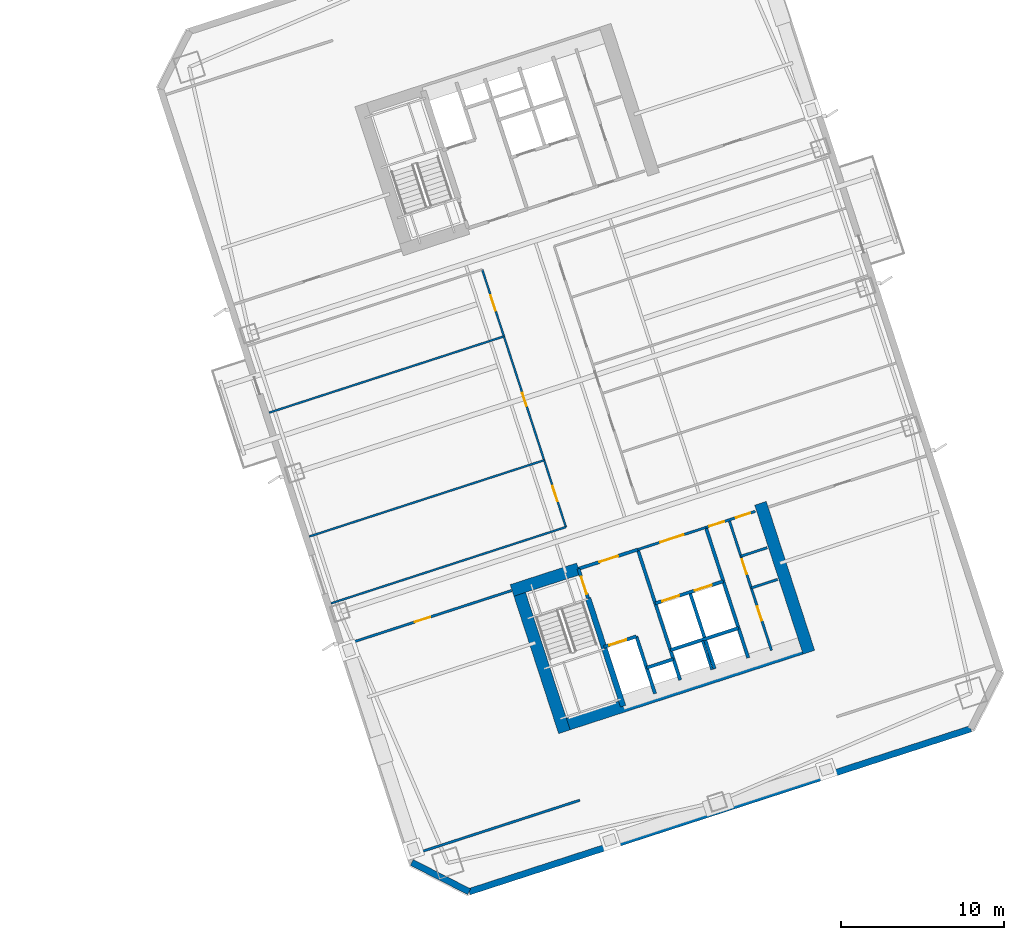
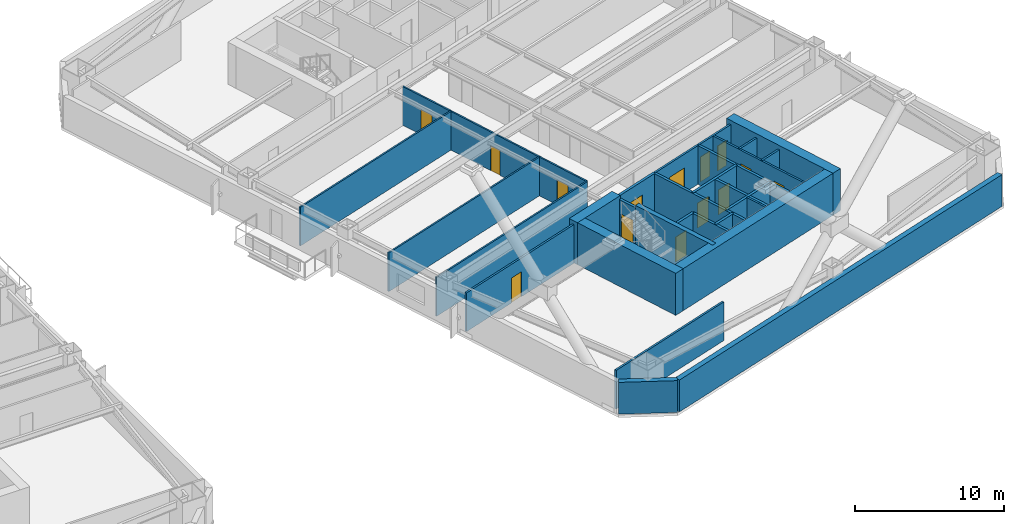
# One storey, part 7 of 18: 29 walls, 14 doors, 14 openings.
"""IFC4 building model written with IfcOpenShell, lengths in metres."""

from ifc_helpers import new_model, si_unit, direction, frame, frame_2d, origin, place, context, subcontext, project, spatial, rectangle, extrude, material, layer, layer_set, type_object, element, fill, save


model = new_model("IFC4")

# Units and contexts
model_context = context("Model", 3, precision=1e-05, world=origin(), true_north=direction((0.0, 1.0)))
body_context = subcontext(model_context, "Body", "Model", "MODEL_VIEW")
ifc_project = project(units=[si_unit("LENGTHUNIT", "METRE"), si_unit("AREAUNIT", "SQUARE_METRE"), si_unit("VOLUMEUNIT", "CUBIC_METRE"), si_unit("PLANEANGLEUNIT", "RADIAN"), si_unit("MASSUNIT", "GRAM", prefix="KILO")], contexts=[model_context])

# Site, building, storey
site_placement = place(None, origin())
site = spatial("IfcSite", under=ifc_project, at=site_placement, CompositionType="ELEMENT")
building_placement = place(site_placement, origin())
building = spatial("IfcBuilding", under=site, at=building_placement, Name="Qiaolan Cultural Towers", CompositionType="ELEMENT")
storey_placement = place(building_placement, frame((0.0, 0.0, 57.5)))
storey = spatial("IfcBuildingStorey", under=building, at=storey_placement, Name="L13", CompositionType="ELEMENT", Elevation=57.5)

# Walls
ifc_material_1 = material(Name="Concrete C50", Category="concrete")
ifc_layer_1 = layer(ifc_material_1, 0.35009765625)
ifc_layer_set_1 = layer_set([ifc_layer_1], Name="Concrete C50")
wall_type_1 = type_object("IfcWallType", Name="WL-CORE-350", PredefinedType="SHEAR", material=ifc_layer_set_1)
wall_1_placement = place(storey_placement, frame((90.486328125, 20.59423828125, 0.0), z_axis=(0.0, 0.0, 1.0), x_axis=(0.309020428229, -0.951055400562, 0.0)))
element("IfcWall", 1, at=wall_1_placement, inside=storey, type_object=wall_type_1, Name="L13 T2-CS Stair Core Dividing Web", PredefinedType="SHEAR", context=body_context, shape_type="SweptSolid", body=[
    extrude(rectangle(XDim=6.97998046875, YDim=0.35009765625, at=frame_2d((3.489990234375, 0.0))), origin(), (0.0, 0.0, 1.0), 3.449951171875),
])
ifc_material_2 = material(Name="Concrete C60", Category="concrete")
ifc_layer_2 = layer(ifc_material_2, 0.75)
ifc_layer_set_2 = layer_set([ifc_layer_2], Name="Concrete C60")
wall_type_2 = type_object("IfcWallType", Name="WL-CORE-750", PredefinedType="SHEAR", material=ifc_layer_set_2)
wall_2_placement = place(storey_placement, frame((88.55859375, 12.628662109375, 0.0), z_axis=(0.0, 0.0, 1.0), x_axis=(0.951056072937, 0.309018358888, 0.0)))
element("IfcWall", 2, at=wall_2_placement, inside=storey, type_object=wall_type_2, Name="L13 T2-CS Outer Core Shear Wall", PredefinedType="SHEAR", context=body_context, shape_type="SweptSolid", body=[
    extrude(rectangle(XDim=16.550048828125, YDim=0.75, at=frame_2d((8.27490234375, 0.0))), origin(), (0.0, 0.0, 1.0), 3.449951171875),
])
wall_3_placement = place(storey_placement, frame((86.05517578125, 21.54638671875, 0.0), z_axis=(0.0, 0.0, 1.0), x_axis=(0.309023585745, -0.951054374604, 0.0)))
element("IfcWall", 3, at=wall_3_placement, inside=storey, type_object=wall_type_2, Name="L13 T2-CS West Core Shear Wall", PredefinedType="SHEAR", context=body_context, shape_type="SweptSolid", body=[
    extrude(rectangle(XDim=9.6298828125, YDim=0.75, at=frame_2d((4.81494140625, 0.0))), origin(), (0.0, 0.0, 1.0), 3.449951171875),
])
wall_4_placement = place(storey_placement, frame((101.08203125, 26.428955078125, 0.0), z_axis=(0.0, 0.0, 1.0), x_axis=(0.309016134813, -0.951056795583, 0.0)))
element("IfcWall", 4, at=wall_4_placement, inside=storey, type_object=wall_type_2, Name="L13 T2-CS East Core Shear Wall", PredefinedType="SHEAR", context=body_context, shape_type="SweptSolid", body=[
    extrude(rectangle(XDim=9.630126953125, YDim=0.75, at=frame_2d((4.81494140625, 0.0))), origin(), (0.0, 0.0, 1.0), 3.449951171875),
])
wall_5_placement = place(storey_placement, frame((85.814453125, 21.073974609375, 0.0), z_axis=(0.0, 0.0, 1.0), x_axis=(0.95106580992, 0.308988390074, 0.0)))
element("IfcWall", 5, at=wall_5_placement, inside=storey, type_object=wall_type_2, Name="L13 T2-CS Stair Front Shear Wall", PredefinedType="SHEAR", context=body_context, shape_type="SweptSolid", body=[
    extrude(rectangle(XDim=4.295166015625, YDim=0.75, at=frame_2d((2.1474609375, 0.0))), origin(), (0.0, 0.0, 1.0), 3.449951171875),
])
ifc_material_3 = material(Name="Precast Concrete C50 Honed Stone Pier", Category="masonry")
ifc_layer_3 = layer(ifc_material_3, 0.39990234375)
ifc_layer_set_3 = layer_set([ifc_layer_3], Name="Precast Concrete C50 Honed Stone Pier")
wall_type_3 = type_object("IfcWallType", Name="WL-EXT-PIER-400", PredefinedType="SOLIDWALL", material=ifc_layer_set_3)
wall_6_placement = place(storey_placement, frame((113.997802734375, 12.566650390625, 0.0), z_axis=(0.0, 0.0, 1.0), x_axis=(-0.951055939317, -0.309018770125, 0.0)))
element("IfcWall", 6, at=wall_6_placement, inside=storey, type_object=wall_type_3, Name="L13 East Tower Precast Pier Facade Wall F7", PredefinedType="SOLIDWALL", context=body_context, shape_type="SweptSolid", body=[
    extrude(rectangle(XDim=32.39990234375, YDim=0.39990234375, at=frame_2d((16.199951171875, 0.0))), origin(), (0.0, 0.0, 1.0), 2.610107421875),
])
wall_7_placement = place(storey_placement, frame((83.18359375, 2.554443359375, 0.0), z_axis=(0.0, 0.0, 1.0), x_axis=(-0.890998089617, 0.454007053137, 0.0)))
element("IfcWall", 7, at=wall_7_placement, inside=storey, type_object=wall_type_3, Name="L13 East Tower Precast Pier Facade Wall F8", PredefinedType="SOLIDWALL", context=body_context, shape_type="SweptSolid", body=[
    extrude(rectangle(XDim=3.9599609375, YDim=0.39990234375, at=frame_2d((1.97998046875, 0.0))), origin(), (0.0, 0.0, 1.0), 2.610107421875),
])

# Wall, opening, door
ifc_material_4 = material(Name="Concrete C35 Fire Wall", Category="concrete")
ifc_layer_4 = layer(ifc_material_4, 0.199951171875)
ifc_layer_set_4 = layer_set([ifc_layer_4], Name="Concrete C35 Fire Wall")
wall_type_4 = type_object("IfcWallType", Name="WL-FIRE-200", PredefinedType="PARTITIONING", material=ifc_layer_set_4)
wall_8_placement = place(storey_placement, frame((89.8994140625, 22.401123046875, 0.0), z_axis=(0.0, 0.0, 1.0), x_axis=(0.308932062672, -0.951084108086, 0.0)))
wall_8 = element("IfcWall", 8, at=wall_8_placement, inside=storey, type_object=wall_type_4, Name="L13 T2-CS Smokeproof Stair Entry Wall", PredefinedType="PARTITIONING", context=body_context, shape_type="SweptSolid", body=[
    extrude(rectangle(XDim=1.89990234375, YDim=0.199951171875, at=frame_2d((0.949951171875, 0.0))), origin(), (0.0, 0.0, 1.0), 3.175048828125),
])
opening_1_placement = place(wall_8_placement, frame((0.52001953125, 0.0, 0.0)))
opening_1 = element("IfcOpeningElement", 9, at=opening_1_placement, cuts=wall_8, Name="Opening FD-04", PredefinedType="OPENING", context=body_context, shape_type="SweptSolid", body=[
    extrude(rectangle(XDim=1.10009765625, YDim=2.050048828125, at=frame_2d((0.550048828125, 1.02490234375))), frame((0.0, 0.10986328125, 0.0), z_axis=(0.0, -1.0, 0.0), x_axis=(1.0, 0.0, 0.0)), (0.0, 0.0, 1.0), 0.219970703125),
])
ifc_material_5 = material(Name="Galvanized Steel Command Fire Door", Category="steel")
door_type_1 = type_object("IfcDoorType", Name="DR-FD90-1100", OperationType="NOTDEFINED", PredefinedType="DOOR", material=ifc_material_5)
door_1_placement = place(opening_1_placement, origin())
door_1 = element("IfcDoor", 10, at=door_1_placement, inside=storey, type_object=door_type_1, Name="L13 ST-E1 Smokeproof Stair Fire Door", OperationType="SINGLE_SWING_LEFT", OverallHeight=2.050048828125, OverallWidth=1.10009765625, PredefinedType="DOOR", context=body_context, shape_type="SweptSolid", body=[
    extrude(rectangle(XDim=1.10009765625, YDim=2.050048828125, at=frame_2d((0.550048828125, 1.02490234375))), frame((0.0, 0.02490234375, 0.0), z_axis=(0.0, -1.0, 0.0), x_axis=(1.0, 0.0, 0.0)), (0.0, 0.0, 1.0), 0.050048828125),
])
fill(opening_1, door_1)

# Wall
wall_9_placement = place(storey_placement, frame((93.541748046875, 23.584716796875, 0.0), z_axis=(0.0, 0.0, 1.0), x_axis=(0.309042196757, -0.951048327176, 0.0)))
element("IfcWall", 11, at=wall_9_placement, inside=storey, type_object=wall_type_4, Name="L13 T2-CS Firefighting Zone Wall", PredefinedType="PARTITIONING", context=body_context, shape_type="SweptSolid", body=[
    extrude(rectangle(XDim=8.429931640625, YDim=0.199951171875, at=frame_2d((4.21484375, 0.0))), origin(), (0.0, 0.0, 1.0), 3.175048828125),
])

# Wall, opening, door
wall_10_placement = place(storey_placement, frame((89.8994140625, 22.401123046875, 0.0), z_axis=(0.0, 0.0, 1.0), x_axis=(0.951046716504, 0.309047153403, 0.0)))
wall_10 = element("IfcWall", 12, at=wall_10_placement, inside=storey, type_object=wall_type_4, Name="L13 T2-CS Firefighting Lobby Front Wall", PredefinedType="PARTITIONING", context=body_context, shape_type="SweptSolid", body=[
    extrude(rectangle(XDim=3.829833984375, YDim=0.199951171875, at=frame_2d((1.9150390625, 0.0))), origin(), (0.0, 0.0, 1.0), 3.175048828125),
])
opening_2_placement = place(wall_10_placement, frame((1.35009765625, 0.0, 0.0)))
opening_2 = element("IfcOpeningElement", 13, at=opening_2_placement, cuts=wall_10, Name="Opening FD-03", PredefinedType="OPENING", context=body_context, shape_type="SweptSolid", body=[
    extrude(rectangle(XDim=1.199951171875, YDim=2.050048828125, at=frame_2d((0.60009765625, 1.02490234375))), frame((0.0, 0.10986328125, 0.0), z_axis=(0.0, -1.0, 0.0), x_axis=(1.0, 0.0, 0.0)), (0.0, 0.0, 1.0), 0.219970703125),
])
ifc_material_6 = material(Name="Galvanized Steel Smokeproof Lobby Fire Door", Category="steel")
door_type_2 = type_object("IfcDoorType", Name="DR-FD90-1200", OperationType="NOTDEFINED", PredefinedType="DOOR", material=ifc_material_6)
door_2_placement = place(opening_2_placement, origin())
door_2 = element("IfcDoor", 14, at=door_2_placement, inside=storey, type_object=door_type_2, Name="L13 FFL-E1 Firefighting Lobby Fire Door", OperationType="SINGLE_SWING_LEFT", OverallHeight=2.050048828125, OverallWidth=1.199951171875, PredefinedType="DOOR", context=body_context, shape_type="SweptSolid", body=[
    extrude(rectangle(XDim=1.199951171875, YDim=2.050048828125, at=frame_2d((0.60009765625, 1.02490234375))), frame((0.0, 0.02490234375, 0.0), z_axis=(0.0, -1.0, 0.0), x_axis=(1.0, 0.0, 0.0)), (0.0, 0.0, 1.0), 0.050048828125),
])
fill(opening_2, door_2)

wall_11_placement = place(storey_placement, frame((91.459716796875, 17.598388671875, 0.0), z_axis=(0.0, 0.0, 1.0), x_axis=(0.951062257173, 0.308999325213, 0.0)))
wall_11 = element("IfcWall", 15, at=wall_11_placement, inside=storey, type_object=wall_type_4, Name="L13 T2-CS Firefighting Shaft Front Wall", PredefinedType="PARTITIONING", context=body_context, shape_type="SweptSolid", body=[
    extrude(rectangle(XDim=2.10009765625, YDim=0.199951171875, at=frame_2d((1.050048828125, 0.0))), origin(), (0.0, 0.0, 1.0), 3.175048828125),
])
opening_3_placement = place(wall_11_placement, frame((0.35009765625, 0.0, 0.0)))
opening_3 = element("IfcOpeningElement", 16, at=opening_3_placement, cuts=wall_11, Name="Opening LD-01", PredefinedType="OPENING", context=body_context, shape_type="SweptSolid", body=[
    extrude(rectangle(XDim=1.10009765625, YDim=2.050048828125, at=frame_2d((0.550048828125, 1.02490234375))), frame((0.0, 0.10986328125, 0.0), z_axis=(0.0, -1.0, 0.0), x_axis=(1.0, 0.0, 0.0)), (0.0, 0.0, 1.0), 0.219970703125),
])
ifc_material_7 = material(Name="Brushed Stainless Steel S30408 Centre-Parting Lift Landing Door", Category="steel")
door_type_3 = type_object("IfcDoorType", Name="DR-LIFT-1100", OperationType="NOTDEFINED", PredefinedType="DOOR", material=ifc_material_7)
door_3_placement = place(opening_3_placement, origin())
door_3 = element("IfcDoor", 17, at=door_3_placement, inside=storey, type_object=door_type_3, Name="L13 FFL-E1 Firefighting Lift Landing Door", OperationType="DOUBLE_DOOR_SLIDING", OverallHeight=2.050048828125, OverallWidth=1.10009765625, PredefinedType="DOOR", context=body_context, shape_type="SweptSolid", body=[
    extrude(rectangle(XDim=1.10009765625, YDim=2.050048828125, at=frame_2d((0.550048828125, 1.02490234375))), frame((0.0, 0.02490234375, 0.0), z_axis=(0.0, -1.0, 0.0), x_axis=(1.0, 0.0, 0.0)), (0.0, 0.0, 1.0), 0.050048828125),
])
fill(opening_3, door_3)

# Walls
wall_12_placement = place(storey_placement, frame((93.45703125, 18.247314453125, 0.0), z_axis=(0.0, 0.0, 1.0), x_axis=(0.3089935693, -0.951064127245, 0.0)))
element("IfcWall", 18, at=wall_12_placement, inside=storey, type_object=wall_type_4, Name="L13 T2-CS Firefighting Hoistway East Wall", PredefinedType="PARTITIONING", context=body_context, shape_type="SweptSolid", body=[
    extrude(rectangle(XDim=3.7001953125, YDim=0.199951171875, at=frame_2d((1.85009765625, 0.0))), origin(), (0.0, 0.0, 1.0), 3.175048828125),
])
wall_13_placement = place(storey_placement, frame((94.08447265625, 16.316650390625, 0.0), z_axis=(0.0, 0.0, 1.0), x_axis=(0.951041328149, 0.309063734775, 0.0)))
element("IfcWall", 19, at=wall_13_placement, inside=storey, type_object=wall_type_4, Name="L13 T2-CS Pressurization Shaft Front Wall", PredefinedType="PARTITIONING", context=body_context, shape_type="SweptSolid", body=[
    extrude(rectangle(XDim=1.72998046875, YDim=0.199951171875, at=frame_2d((0.864990234375, 0.0))), origin(), (0.0, 0.0, 1.0), 3.175048828125),
])
wall_14_placement = place(storey_placement, frame((97.7265625, 24.9443359375, 0.0), z_axis=(0.0, 0.0, 1.0), x_axis=(0.309016001439, -0.951056838919, 0.0)))
element("IfcWall", 20, at=wall_14_placement, inside=storey, type_object=wall_type_4, Name="L13 T2-CS Lift Core East Wall", PredefinedType="PARTITIONING", context=body_context, shape_type="SweptSolid", body=[
    extrude(rectangle(XDim=8.429931640625, YDim=0.199951171875, at=frame_2d((4.21484375, 0.0))), origin(), (0.0, 0.0, 1.0), 3.175048828125),
])

# Wall, openings, doors
wall_15_placement = place(storey_placement, frame((94.6171875, 20.275146484375, 0.0), z_axis=(0.0, 0.0, 1.0), x_axis=(0.951058531764, 0.30901079133, 0.0)))
wall_15 = element("IfcWall", 21, at=wall_15_placement, inside=storey, type_object=wall_type_4, Name="L13 T2-CS Passenger Lift Shaft Front Wall", PredefinedType="PARTITIONING", context=body_context, shape_type="SweptSolid", body=[
    extrude(rectangle(XDim=4.39990234375, YDim=0.199951171875, at=frame_2d((2.199951171875, 0.0))), origin(), (0.0, 0.0, 1.0), 3.175048828125),
])
opening_4_placement = place(wall_15_placement, frame((0.449951171875, 0.0, 0.0)))
opening_4 = element("IfcOpeningElement", 22, at=opening_4_placement, cuts=wall_15, Name="Opening LD-01", PredefinedType="OPENING", context=body_context, shape_type="SweptSolid", body=[
    extrude(rectangle(XDim=1.10009765625, YDim=2.050048828125, at=frame_2d((0.550048828125, 1.02490234375))), frame((0.0, 0.10986328125, 0.0), z_axis=(0.0, -1.0, 0.0), x_axis=(1.0, 0.0, 0.0)), (0.0, 0.0, 1.0), 0.219970703125),
])
opening_5_placement = place(wall_15_placement, frame((2.550048828125, 0.0, 0.0)))
opening_5 = element("IfcOpeningElement", 23, at=opening_5_placement, cuts=wall_15, Name="Opening LD-01", PredefinedType="OPENING", context=body_context, shape_type="SweptSolid", body=[
    extrude(rectangle(XDim=1.10009765625, YDim=2.050048828125, at=frame_2d((0.550048828125, 1.02490234375))), frame((0.0, 0.10986328125, 0.0), z_axis=(0.0, -1.0, 0.0), x_axis=(1.0, 0.0, 0.0)), (0.0, 0.0, 1.0), 0.219970703125),
])
door_4_placement = place(opening_4_placement, origin())
door_4 = element("IfcDoor", 24, at=door_4_placement, inside=storey, type_object=door_type_3, Name="L13 Passenger Lift 1 Landing Door", OperationType="DOUBLE_DOOR_SLIDING", OverallHeight=2.050048828125, OverallWidth=1.10009765625, PredefinedType="DOOR", context=body_context, shape_type="SweptSolid", body=[
    extrude(rectangle(XDim=1.10009765625, YDim=2.050048828125, at=frame_2d((0.550048828125, 1.02490234375))), frame((0.0, 0.02490234375, 0.0), z_axis=(0.0, -1.0, 0.0), x_axis=(1.0, 0.0, 0.0)), (0.0, 0.0, 1.0), 0.050048828125),
])
fill(opening_4, door_4)
door_5_placement = place(opening_5_placement, origin())
door_5 = element("IfcDoor", 25, at=door_5_placement, inside=storey, type_object=door_type_3, Name="L13 Passenger Lift 2 Landing Door", OperationType="DOUBLE_DOOR_SLIDING", OverallHeight=2.050048828125, OverallWidth=1.10009765625, PredefinedType="DOOR", context=body_context, shape_type="SweptSolid", body=[
    extrude(rectangle(XDim=1.10009765625, YDim=2.050048828125, at=frame_2d((0.550048828125, 1.02490234375))), frame((0.0, 0.02490234375, 0.0), z_axis=(0.0, -1.0, 0.0), x_axis=(1.0, 0.0, 0.0)), (0.0, 0.0, 1.0), 0.050048828125),
])
fill(opening_5, door_5)

# Walls
wall_16_placement = place(storey_placement, frame((96.738037109375, 20.964111328125, 0.0), z_axis=(0.0, 0.0, 1.0), x_axis=(0.309042578481, -0.951048203135, 0.0)))
element("IfcWall", 26, at=wall_16_placement, inside=storey, type_object=wall_type_4, Name="L13 T2-CS Lift Shaft Divider Wall", PredefinedType="PARTITIONING", context=body_context, shape_type="SweptSolid", body=[
    extrude(rectangle(XDim=4.9501953125, YDim=0.199951171875, at=frame_2d((2.47509765625, 0.0))), origin(), (0.0, 0.0, 1.0), 3.175048828125),
])
wall_17_placement = place(storey_placement, frame((95.550537109375, 17.40283203125, 0.0), z_axis=(0.0, 0.0, 1.0), x_axis=(0.951058531764, 0.30901079133, 0.0)))
element("IfcWall", 27, at=wall_17_placement, inside=storey, type_object=wall_type_4, Name="L13 T2-CS Passenger Lift Shaft Back Wall", PredefinedType="PARTITIONING", context=body_context, shape_type="SweptSolid", body=[
    extrude(rectangle(XDim=4.39990234375, YDim=0.199951171875, at=frame_2d((2.199951171875, 0.0))), origin(), (0.0, 0.0, 1.0), 3.175048828125),
])
ifc_material_8 = material(Name="Gypsum Stud Acoustic Partition", Category="gypsum")
ifc_layer_5 = layer(ifc_material_8, 0.1201171875)
ifc_layer_set_5 = layer_set([ifc_layer_5], Name="Gypsum Stud Acoustic Partition")
wall_type_5 = type_object("IfcWallType", Name="WL-PART-120", PredefinedType="PARTITIONING", material=ifc_layer_set_5)
wall_18_placement = place(storey_placement, frame((74.691162109375, 20.277587890625, 0.0), z_axis=(0.0, 0.0, 1.0), x_axis=(0.951054756643, 0.309022409974, 0.0)))
element("IfcWall", 28, at=wall_18_placement, inside=storey, type_object=wall_type_5, Name="L13 T2 South Corridor Left Wall", PredefinedType="PARTITIONING", context=body_context, shape_type="SweptSolid", body=[
    extrude(rectangle(XDim=15.175048828125, YDim=0.1201171875, at=frame_2d((7.58740234375, 0.0))), origin(), (0.0, 0.0, 1.0), 3.175048828125),
])

# Wall, openings, doors
wall_19_placement = place(storey_placement, frame((89.12353515625, 24.967041015625, 0.0), z_axis=(0.0, 0.0, 1.0), x_axis=(-0.30901773025, 0.951056277195, 0.0)))
wall_19 = element("IfcWall", 29, at=wall_19_placement, inside=storey, type_object=wall_type_5, Name="L13 T2 West Spine Wall", PredefinedType="PARTITIONING", context=body_context, shape_type="SweptSolid", body=[
    extrude(rectangle(XDim=16.64013671875, YDim=0.1201171875, at=frame_2d((8.320068359375, 0.0))), origin(), (0.0, 0.0, 1.0), 3.175048828125),
])
opening_6_placement = place(wall_19_placement, frame((1.659912109375, 0.0, 0.0)))
opening_6 = element("IfcOpeningElement", 30, at=opening_6_placement, cuts=wall_19, Name="Opening ID-04", PredefinedType="OPENING", context=body_context, shape_type="SweptSolid", body=[
    extrude(rectangle(XDim=1.0, YDim=2.050048828125, at=frame_2d((0.5, 1.02490234375))), frame((0.0, 0.070068359375, 0.0), z_axis=(0.0, -1.0, 0.0), x_axis=(1.0, 0.0, 0.0)), (0.0, 0.0, 1.0), 0.14013671875),
])
opening_7_placement = place(wall_19_placement, frame((7.820068359375, 0.0, 0.0)))
opening_7 = element("IfcOpeningElement", 31, at=opening_7_placement, cuts=wall_19, Name="Opening ID-09", PredefinedType="OPENING", context=body_context, shape_type="SweptSolid", body=[
    extrude(rectangle(XDim=0.85009765625, YDim=2.050048828125, at=frame_2d((0.425048828125, 1.02490234375))), frame((0.0, 0.070068359375, 0.0), z_axis=(0.0, -1.0, 0.0), x_axis=(1.0, 0.0, 0.0)), (0.0, 0.0, 1.0), 0.14013671875),
])
opening_8_placement = place(wall_19_placement, frame((13.97998046875, 0.0, 0.0)))
opening_8 = element("IfcOpeningElement", 32, at=opening_8_placement, cuts=wall_19, Name="Opening ID-04", PredefinedType="OPENING", context=body_context, shape_type="SweptSolid", body=[
    extrude(rectangle(XDim=1.0, YDim=2.050048828125, at=frame_2d((0.5, 1.02490234375))), frame((0.0, 0.070068359375, 0.0), z_axis=(0.0, -1.0, 0.0), x_axis=(1.0, 0.0, 0.0)), (0.0, 0.0, 1.0), 0.14013671875),
])
ifc_material_9 = material(Name="Oak Veneer Acoustic Office Door", Category="timber")
door_type_4 = type_object("IfcDoorType", Name="DR-INT-1000", OperationType="NOTDEFINED", PredefinedType="DOOR", material=ifc_material_9)
door_6_placement = place(opening_6_placement, origin())
door_6 = element("IfcDoor", 33, at=door_6_placement, inside=storey, type_object=door_type_4, Name="L13 T2 Contemporary Art Salon Door", OperationType="SINGLE_SWING_LEFT", OverallHeight=2.050048828125, OverallWidth=1.0, PredefinedType="DOOR", context=body_context, shape_type="SweptSolid", body=[
    extrude(rectangle(XDim=1.0, YDim=2.050048828125, at=frame_2d((0.5, 1.02490234375))), frame((0.0, 0.02490234375, 0.0), z_axis=(0.0, -1.0, 0.0), x_axis=(1.0, 0.0, 0.0)), (0.0, 0.0, 1.0), 0.050048828125),
])
fill(opening_6, door_6)
door_7_placement = place(opening_8_placement, origin())
door_7 = element("IfcDoor", 34, at=door_7_placement, inside=storey, type_object=door_type_4, Name="L13 T2 Members Reading Club Door", OperationType="SINGLE_SWING_LEFT", OverallHeight=2.050048828125, OverallWidth=1.0, PredefinedType="DOOR", context=body_context, shape_type="SweptSolid", body=[
    extrude(rectangle(XDim=1.0, YDim=2.050048828125, at=frame_2d((0.5, 1.02490234375))), frame((0.0, 0.02490234375, 0.0), z_axis=(0.0, -1.0, 0.0), x_axis=(1.0, 0.0, 0.0)), (0.0, 0.0, 1.0), 0.050048828125),
])
fill(opening_8, door_7)
ifc_material_10 = material(Name="Moisture-Resistant Laminate Utility Door", Category="timber")
door_type_5 = type_object("IfcDoorType", Name="DR-INT-850", OperationType="NOTDEFINED", PredefinedType="DOOR", material=ifc_material_10)
door_8_placement = place(opening_7_placement, origin())
door_8 = element("IfcDoor", 35, at=door_8_placement, inside=storey, type_object=door_type_5, Name="L13 T2 Contemporary Art Salon Door", OperationType="SINGLE_SWING_RIGHT", OverallHeight=2.050048828125, OverallWidth=0.85009765625, PredefinedType="DOOR", context=body_context, shape_type="SweptSolid", body=[
    extrude(rectangle(XDim=0.85009765625, YDim=2.050048828125, at=frame_2d((0.425048828125, 1.02490234375))), frame((0.0, 0.02490234375, 0.0), z_axis=(0.0, -1.0, 0.0), x_axis=(1.0, 0.0, 0.0)), (0.0, 0.0, 1.0), 0.050048828125),
])
fill(opening_7, door_8)

# Walls
for number, where, z_axis, x_axis, name in (
    (36, (73.356201171875, 24.38623046875, 0.0), (0.0, 0.0, 1.0), (0.951054756643, 0.309022409974, 0.0), "L13 T2 West Partition 1"),
    (37, (70.884033203125, 31.99462890625, 0.0), (0.0, 0.0, 1.0), (0.951054756643, 0.309022409974, 0.0), "L13 T2 West Partition 2"),
):
    element("IfcWall", number, at=place(storey_placement, frame(where, z_axis=z_axis, x_axis=x_axis)), inside=storey, type_object=wall_type_5, Name=name, PredefinedType="PARTITIONING", context=body_context, shape_type="SweptSolid", body=[
        extrude(rectangle(XDim=15.175048828125, YDim=0.1201171875, at=frame_2d((7.58740234375, 0.0))), origin(), (0.0, 0.0, 1.0), 3.175048828125),
    ])

# Wall, opening, door
ifc_material_11 = material(Name="Autoclaved Aerated Concrete Block B06", Category="concrete")
ifc_layer_6 = layer(ifc_material_11, 0.14990234375)
ifc_layer_set_6 = layer_set([ifc_layer_6], Name="Autoclaved Aerated Concrete Block B06")
wall_type_6 = type_object("IfcWallType", Name="WL-PART-150", PredefinedType="PARTITIONING", material=ifc_layer_set_6)
wall_20_placement = place(storey_placement, frame((93.541748046875, 23.584716796875, 0.0), z_axis=(0.0, 0.0, 1.0), x_axis=(0.951063829732, 0.308994485023, 0.0)))
wall_20 = element("IfcWall", 38, at=wall_20_placement, inside=storey, type_object=wall_type_6, Name="L13 T2-CS Passenger Lift Lobby Front Wall", PredefinedType="PARTITIONING", context=body_context, shape_type="SweptSolid", body=[
    extrude(rectangle(XDim=4.400146484375, YDim=0.14990234375, at=frame_2d((2.2001953125, 0.0))), origin(), (0.0, 0.0, 1.0), 3.175048828125),
])
opening_9_placement = place(wall_20_placement, frame((1.449951171875, 0.0, 0.0)))
opening_9 = element("IfcOpeningElement", 39, at=opening_9_placement, cuts=wall_20, Name="Opening FD-05", PredefinedType="OPENING", context=body_context, shape_type="SweptSolid", body=[
    extrude(rectangle(XDim=1.5, YDim=2.050048828125, at=frame_2d((0.75, 1.02490234375))), frame((0.0, 0.0849609375, 0.0), z_axis=(0.0, -1.0, 0.0), x_axis=(1.0, 0.0, 0.0)), (0.0, 0.0, 1.0), 0.169921875),
])
ifc_material_12 = material(Name="Painted Steel Lift Lobby Fire Door", Category="steel")
door_type_6 = type_object("IfcDoorType", Name="DR-FD60-1500", OperationType="NOTDEFINED", PredefinedType="DOOR", material=ifc_material_12)
door_9_placement = place(opening_9_placement, origin())
door_9 = element("IfcDoor", 40, at=door_9_placement, inside=storey, type_object=door_type_6, Name="L13 Passenger Lift Lobby Entrance", OperationType="SINGLE_SWING_LEFT", OverallHeight=2.050048828125, OverallWidth=1.5, PredefinedType="DOOR", context=body_context, shape_type="SweptSolid", body=[
    extrude(rectangle(XDim=1.5, YDim=2.050048828125, at=frame_2d((0.75, 1.02490234375))), frame((0.0, 0.02490234375, 0.0), z_axis=(0.0, -1.0, 0.0), x_axis=(1.0, 0.0, 0.0)), (0.0, 0.0, 1.0), 0.050048828125),
])
fill(opening_9, door_9)

# Wall
wall_21_placement = place(storey_placement, frame((97.515625, 17.98876953125, 0.0), z_axis=(0.0, 0.0, 1.0), x_axis=(0.30897153969, -0.951071284217, 0.0)))
element("IfcWall", 41, at=wall_21_placement, inside=storey, type_object=wall_type_6, Name="L13 T2-CS Core Rear Split Wall", PredefinedType="PARTITIONING", context=body_context, shape_type="SweptSolid", body=[
    extrude(rectangle(XDim=1.8798828125, YDim=0.14990234375, at=frame_2d((0.93994140625, 0.0))), origin(), (0.0, 0.0, 1.0), 3.175048828125),
])

# Wall, openings, doors
wall_22_placement = place(storey_placement, frame((97.7265625, 24.9443359375, 0.0), z_axis=(0.0, 0.0, 1.0), x_axis=(0.951036872128, 0.309077446369, 0.0)))
wall_22 = element("IfcWall", 42, at=wall_22_placement, inside=storey, type_object=wall_type_6, Name="L13 T2-CS Sanitary Core Front Wall", PredefinedType="PARTITIONING", context=body_context, shape_type="SweptSolid", body=[
    extrude(rectangle(XDim=3.199951171875, YDim=0.14990234375, at=frame_2d((1.60009765625, 0.0))), origin(), (0.0, 0.0, 1.0), 3.175048828125),
])
opening_10_placement = place(wall_22_placement, frame((0.219970703125, 0.0, 0.0)))
opening_10 = element("IfcOpeningElement", 43, at=opening_10_placement, cuts=wall_22, Name="Opening ID-05", PredefinedType="OPENING", context=body_context, shape_type="SweptSolid", body=[
    extrude(rectangle(XDim=0.949951171875, YDim=2.050048828125, at=frame_2d((0.47509765625, 1.02490234375))), frame((0.0, 0.0849609375, 0.0), z_axis=(0.0, -1.0, 0.0), x_axis=(1.0, 0.0, 0.0)), (0.0, 0.0, 1.0), 0.169921875),
])
opening_11_placement = place(wall_22_placement, frame((1.949951171875, 0.0, 0.0)))
opening_11 = element("IfcOpeningElement", 44, at=opening_11_placement, cuts=wall_22, Name="Opening ID-06", PredefinedType="OPENING", context=body_context, shape_type="SweptSolid", body=[
    extrude(rectangle(XDim=0.89990234375, YDim=2.050048828125, at=frame_2d((0.449951171875, 1.02490234375))), frame((0.0, 0.0849609375, 0.0), z_axis=(0.0, -1.0, 0.0), x_axis=(1.0, 0.0, 0.0)), (0.0, 0.0, 1.0), 0.169921875),
])
ifc_material_13 = material(Name="Fire-Rated Laminate Core Service Door", Category="timber")
door_type_7 = type_object("IfcDoorType", Name="DR-INT-900", OperationType="NOTDEFINED", PredefinedType="DOOR", material=ifc_material_13)
door_10_placement = place(opening_11_placement, origin())
door_10 = element("IfcDoor", 45, at=door_10_placement, inside=storey, type_object=door_type_7, Name="L13 Core Tea Pantry Door", OperationType="SINGLE_SWING_RIGHT", OverallHeight=2.050048828125, OverallWidth=0.89990234375, PredefinedType="DOOR", context=body_context, shape_type="SweptSolid", body=[
    extrude(rectangle(XDim=0.89990234375, YDim=2.050048828125, at=frame_2d((0.449951171875, 1.02490234375))), frame((0.0, 0.02490234375, 0.0), z_axis=(0.0, -1.0, 0.0), x_axis=(1.0, 0.0, 0.0)), (0.0, 0.0, 1.0), 0.050048828125),
])
fill(opening_11, door_10)
ifc_material_14 = material(Name="Fire-Rated Laminate Accessible Core Door", Category="timber")
door_type_8 = type_object("IfcDoorType", Name="DR-INT-950", OperationType="NOTDEFINED", PredefinedType="DOOR", material=ifc_material_14)
door_11_placement = place(opening_10_placement, origin())
door_11 = element("IfcDoor", 46, at=door_11_placement, inside=storey, type_object=door_type_8, Name="L13 Sanitary Passage Door", OperationType="SINGLE_SWING_LEFT", OverallHeight=2.050048828125, OverallWidth=0.949951171875, PredefinedType="DOOR", context=body_context, shape_type="SweptSolid", body=[
    extrude(rectangle(XDim=0.949951171875, YDim=2.050048828125, at=frame_2d((0.47509765625, 1.02490234375))), frame((0.0, 0.02490234375, 0.0), z_axis=(0.0, -1.0, 0.0), x_axis=(1.0, 0.0, 0.0)), (0.0, 0.0, 1.0), 0.050048828125),
])
fill(opening_10, door_11)

wall_23_placement = place(storey_placement, frame((99.153076171875, 25.407958984375, 0.0), z_axis=(0.0, 0.0, 1.0), x_axis=(0.309016001439, -0.951056838919, 0.0)))
wall_23 = element("IfcWall", 47, at=wall_23_placement, inside=storey, type_object=wall_type_6, Name="L13 T2-CS Sanitary Corridor Wall", PredefinedType="PARTITIONING", context=body_context, shape_type="SweptSolid", body=[
    extrude(rectangle(XDim=8.429931640625, YDim=0.14990234375, at=frame_2d((4.21484375, 0.0))), origin(), (0.0, 0.0, 1.0), 3.175048828125),
])
opening_12_placement = place(wall_23_placement, frame((2.550048828125, 0.0, 0.0)))
opening_12 = element("IfcOpeningElement", 48, at=opening_12_placement, cuts=wall_23, Name="Opening ID-05", PredefinedType="OPENING", context=body_context, shape_type="SweptSolid", body=[
    extrude(rectangle(XDim=0.949951171875, YDim=2.050048828125, at=frame_2d((0.47509765625, 1.02490234375))), frame((0.0, 0.0849609375, 0.0), z_axis=(0.0, -1.0, 0.0), x_axis=(1.0, 0.0, 0.0)), (0.0, 0.0, 1.0), 0.169921875),
])
opening_13_placement = place(wall_23_placement, frame((5.60009765625, 0.0, 0.0)))
opening_13 = element("IfcOpeningElement", 49, at=opening_13_placement, cuts=wall_23, Name="Opening ID-06", PredefinedType="OPENING", context=body_context, shape_type="SweptSolid", body=[
    extrude(rectangle(XDim=0.89990234375, YDim=2.050048828125, at=frame_2d((0.449951171875, 1.02490234375))), frame((0.0, 0.0849609375, 0.0), z_axis=(0.0, -1.0, 0.0), x_axis=(1.0, 0.0, 0.0)), (0.0, 0.0, 1.0), 0.169921875),
])
door_12_placement = place(opening_13_placement, origin())
door_12 = element("IfcDoor", 50, at=door_12_placement, inside=storey, type_object=door_type_7, Name="L13 Staff Restroom Door", OperationType="SINGLE_SWING_RIGHT", OverallHeight=2.050048828125, OverallWidth=0.89990234375, PredefinedType="DOOR", context=body_context, shape_type="SweptSolid", body=[
    extrude(rectangle(XDim=0.89990234375, YDim=2.050048828125, at=frame_2d((0.449951171875, 1.02490234375))), frame((0.0, 0.02490234375, 0.0), z_axis=(0.0, -1.0, 0.0), x_axis=(1.0, 0.0, 0.0)), (0.0, 0.0, 1.0), 0.050048828125),
])
fill(opening_13, door_12)
door_13_placement = place(opening_12_placement, origin())
door_13 = element("IfcDoor", 51, at=door_13_placement, inside=storey, type_object=door_type_8, Name="L13 Accessible Washroom Door", OperationType="SINGLE_SWING_LEFT", OverallHeight=2.050048828125, OverallWidth=0.949951171875, PredefinedType="DOOR", context=body_context, shape_type="SweptSolid", body=[
    extrude(rectangle(XDim=0.949951171875, YDim=2.050048828125, at=frame_2d((0.47509765625, 1.02490234375))), frame((0.0, 0.02490234375, 0.0), z_axis=(0.0, -1.0, 0.0), x_axis=(1.0, 0.0, 0.0)), (0.0, 0.0, 1.0), 0.050048828125),
])
fill(opening_12, door_13)

# Walls
for number, where, z_axis, x_axis, name in (
    (52, (100.5126953125, 21.223388671875, 0.0), (0.0, 0.0, 1.0), (0.951096313471, 0.308894484414, 0.0), "L13 T2-CS Restroom Split Wall"),
    (53, (99.879150390625, 23.1728515625, 0.0), (0.0, 0.0, 1.0), (0.951054116971, 0.309024378638, 0.0), "L13 T2-CS Core Pantry Wall"),
):
    element("IfcWall", number, at=place(storey_placement, frame(where, z_axis=z_axis, x_axis=x_axis)), inside=storey, type_object=wall_type_6, Name=name, PredefinedType="PARTITIONING", context=body_context, shape_type="SweptSolid", body=[
        extrude(rectangle(XDim=1.7001953125, YDim=0.14990234375, at=frame_2d((0.85009765625, 0.0))), origin(), (0.0, 0.0, 1.0), 3.175048828125),
    ])
wall_24_placement = place(storey_placement, frame((79.70654296875, 4.842041015625, 0.0), z_axis=(0.0, 0.0, 1.0), x_axis=(0.951056658866, 0.309016555588, 0.0)))
element("IfcWall", 54, at=wall_24_placement, inside=storey, type_object=wall_type_6, Name="L13 T2 Flank Wall FLK-SW", PredefinedType="PARTITIONING", context=body_context, shape_type="SweptSolid", body=[
    extrude(rectangle(XDim=10.800048828125, YDim=0.14990234375, at=frame_2d((5.39990234375, 0.0))), origin(), (0.0, 0.0, 1.0), 3.175048828125),
])

# Wall, opening, door
wall_25_placement = place(storey_placement, frame((75.519287109375, 17.728759765625, 0.0), z_axis=(0.0, 0.0, 1.0), x_axis=(0.951056658866, 0.309016555588, 0.0)))
wall_25 = element("IfcWall", 55, at=wall_25_placement, inside=storey, type_object=wall_type_6, Name="L13 T2 Flank Front FLK-SW", PredefinedType="PARTITIONING", context=body_context, shape_type="SweptSolid", body=[
    extrude(rectangle(XDim=10.800048828125, YDim=0.14990234375, at=frame_2d((5.39990234375, 0.0))), origin(), (0.0, 0.0, 1.0), 3.175048828125),
])
opening_14_placement = place(wall_25_placement, frame((4.535888671875, 0.0, 0.0)))
opening_14 = element("IfcOpeningElement", 56, at=opening_14_placement, cuts=wall_25, Name="Opening ID-04", PredefinedType="OPENING", context=body_context, shape_type="SweptSolid", body=[
    extrude(rectangle(XDim=1.0, YDim=2.050048828125, at=frame_2d((0.5, 1.02490234375))), frame((0.0, 0.0849609375, 0.0), z_axis=(0.0, -1.0, 0.0), x_axis=(1.0, 0.0, 0.0)), (0.0, 0.0, 1.0), 0.169921875),
])
door_14_placement = place(opening_14_placement, origin())
door_14 = element("IfcDoor", 57, at=door_14_placement, inside=storey, type_object=door_type_4, Name="L13 T2 Corner Studio Door", OperationType="SINGLE_SWING_LEFT", OverallHeight=2.050048828125, OverallWidth=1.0, PredefinedType="DOOR", context=body_context, shape_type="SweptSolid", body=[
    extrude(rectangle(XDim=1.0, YDim=2.050048828125, at=frame_2d((0.5, 1.02490234375))), frame((0.0, 0.02490234375, 0.0), z_axis=(0.0, -1.0, 0.0), x_axis=(1.0, 0.0, 0.0)), (0.0, 0.0, 1.0), 0.050048828125),
])
fill(opening_14, door_14)

save(model, "model.ifc")
